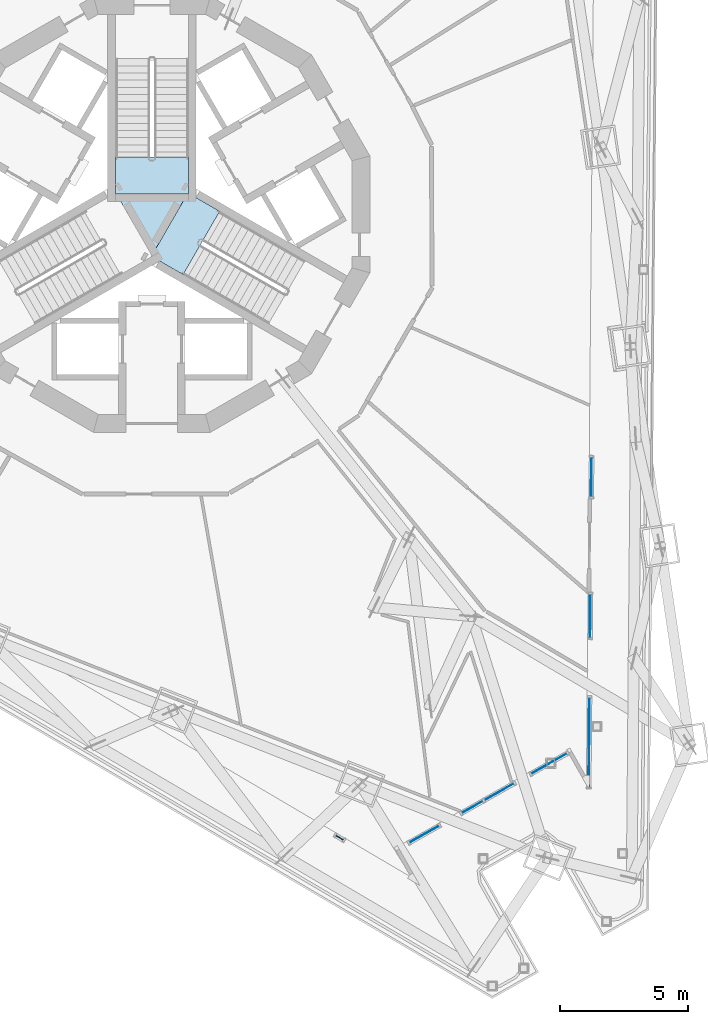
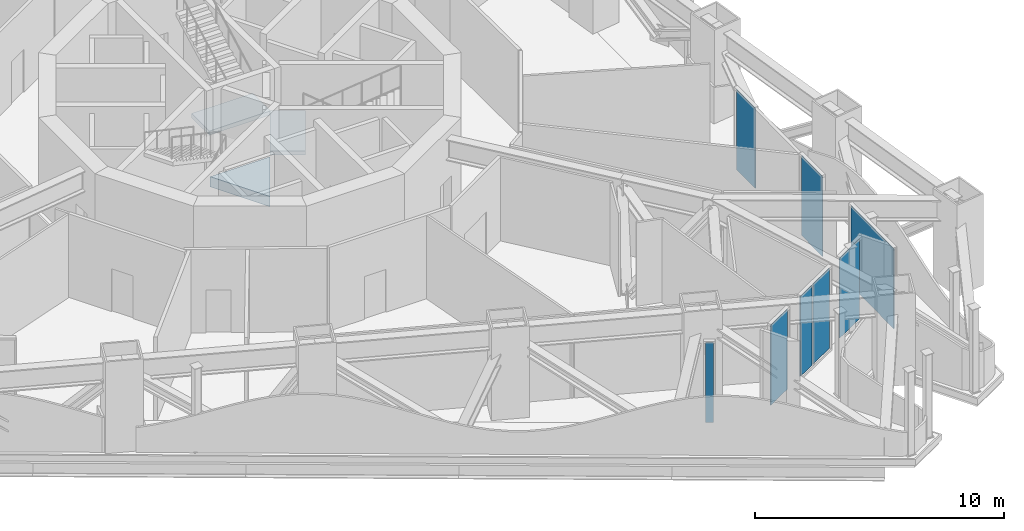
# One storey, part 9 of 27: 8 plates, 3 slabs, 9 elements without a shape of their own.
"""IFC4 building model written with IfcOpenShell, lengths in metres."""

from ifc_helpers import new_model, si_unit, direction, frame, origin, origin_2d, place, context, subcontext, project, spatial, polyline, rectangle, outline, extrude, material, layer, layer_set, type_object, element, aggregate, save


model = new_model("IFC4")

# Units and contexts
model_context = context("Model", 3, precision=1e-05, world=origin(), true_north=direction((0.0, 1.0)))
body_context = subcontext(model_context, "Body", "Model", "MODEL_VIEW")
ifc_project = project(units=[si_unit("LENGTHUNIT", "METRE"), si_unit("AREAUNIT", "SQUARE_METRE"), si_unit("VOLUMEUNIT", "CUBIC_METRE"), si_unit("PLANEANGLEUNIT", "RADIAN"), si_unit("MASSUNIT", "GRAM", prefix="KILO")], contexts=[model_context])

# Site, building, storey
site_placement = place(None, origin())
site = spatial("IfcSite", under=ifc_project, at=site_placement, CompositionType="ELEMENT")
building_placement = place(site_placement, origin())
building = spatial("IfcBuilding", under=site, at=building_placement, Name="Trine Commons Tower", CompositionType="ELEMENT")
storey_placement = place(building_placement, frame((0.0, 0.0, 193.5)))
storey = spatial("IfcBuildingStorey", under=building, at=storey_placement, Name="L50", CompositionType="ELEMENT", Elevation=193.5)

# Curtain wall, plate
ifc_material_1 = material(Name="Sky lounge glazing: anodised aluminium frame with low-emissivity double glazed unit, solar control", Category="aluminium")
ifc_layer_1 = layer(ifc_material_1, 0.179931640625)
ifc_layer_set_1 = layer_set([ifc_layer_1], Name="Sky lounge glazing: anodised aluminium frame with low-emissivity double glazed unit, solar control")
curtain_wall_type = type_object("IfcCurtainWallType", Name="Sky lounge glazing curtain wall CW5", PredefinedType="NOTDEFINED", material=ifc_layer_set_1)
curtain_wall_1_placement = place(storey_placement, origin())
curtain_wall_1 = element("IfcCurtainWall", 1, at=curtain_wall_1_placement, inside=storey, type_object=curtain_wall_type, Name="Sky lounge glazing L50 F2.2", PredefinedType="NOTDEFINED")
ifc_material_2 = material(Name="Low-emissivity double glazed unit, solar control")
ifc_layer_2 = layer(ifc_material_2, 0.031982421875)
ifc_layer_set_2 = layer_set([ifc_layer_2], Name="Low-emissivity double glazed unit, solar control")
plate_type = type_object("IfcPlateType", Name="Double glazed unit 32 mm (sky floors)", PredefinedType="CURTAIN_PANEL", material=ifc_layer_set_2)
plate_1_placement = place(storey_placement, frame((97.138916015625, 52.2529296875, 0.10986328125), z_axis=(0.0, 0.0, 1.0), x_axis=(-0.008726535498, -0.999961923064, 0.0)))
plate_1 = element("IfcPlate", 2, at=plate_1_placement, type_object=plate_type, Name="CW5 panel 1.1", PredefinedType="CURTAIN_PANEL", context=body_context, shape_type="SweptSolid", body=[
    extrude(rectangle(XDim=1.5390625, YDim=0.031982421875, at=origin_2d()), origin(), (0.0, 0.0, 1.0), 3.929931640625),
])
aggregate(curtain_wall_1, [plate_1])

curtain_wall_2_placement = place(storey_placement, origin())
curtain_wall_2 = element("IfcCurtainWall", 3, at=curtain_wall_2_placement, inside=storey, type_object=curtain_wall_type, Name="Sky lounge glazing L50 F2.3", PredefinedType="NOTDEFINED")
plate_2_placement = place(storey_placement, frame((97.091552734375, 46.842041015625, 0.10986328125), z_axis=(0.0, 0.0, 1.0), x_axis=(-0.008726535498, -0.999961923064, 0.0)))
plate_2 = element("IfcPlate", 4, at=plate_2_placement, type_object=plate_type, Name="CW5 panel 1.1", PredefinedType="CURTAIN_PANEL", context=body_context, shape_type="SweptSolid", body=[
    extrude(rectangle(XDim=1.688720703125, YDim=0.031982421875, at=origin_2d()), origin(), (0.0, 0.0, 1.0), 3.929931640625),
])
aggregate(curtain_wall_2, [plate_2])

curtain_wall_3_placement = place(storey_placement, origin())
curtain_wall_3 = element("IfcCurtainWall", 5, at=curtain_wall_3_placement, inside=storey, type_object=curtain_wall_type, Name="Sky lounge glazing L50 F2.4", PredefinedType="NOTDEFINED")
plate_3_placement = place(storey_placement, frame((97.048583984375, 41.912109375, 0.10986328125), z_axis=(0.0, 0.0, 1.0), x_axis=(-0.008726535498, -0.999961923064, 0.0)))
plate_3 = element("IfcPlate", 6, at=plate_3_placement, type_object=plate_type, Name="CW5 panel 1.1", PredefinedType="CURTAIN_PANEL", context=body_context, shape_type="SweptSolid", body=[
    extrude(rectangle(XDim=3.48583984375, YDim=0.031982421875, at=origin_2d()), origin(), (0.0, 0.0, 1.0), 3.929931640625),
])
aggregate(curtain_wall_3, [plate_3])

curtain_wall_4_placement = place(storey_placement, origin())
curtain_wall_4 = element("IfcCurtainWall", 7, at=curtain_wall_4_placement, inside=storey, type_object=curtain_wall_type, Name="Sky lounge glazing L50 P3.1", PredefinedType="NOTDEFINED")
plate_4_placement = place(storey_placement, frame((95.486572265625, 41.08447265625, 0.10986328125), z_axis=(0.0, 0.0, 1.0), x_axis=(-0.87035569594, -0.492423560103, 0.0)))
plate_4 = element("IfcPlate", 8, at=plate_4_placement, type_object=plate_type, Name="CW5 panel 1.1", PredefinedType="CURTAIN_PANEL", context=body_context, shape_type="SweptSolid", body=[
    extrude(rectangle(XDim=1.58349609375, YDim=0.031982421875, at=origin_2d()), origin(), (0.0, 0.0, 1.0), 3.929931640625),
])
aggregate(curtain_wall_4, [plate_4])

# Curtain wall, plates
curtain_wall_5_placement = place(storey_placement, origin())
curtain_wall_5 = element("IfcCurtainWall", 9, at=curtain_wall_5_placement, inside=storey, type_object=curtain_wall_type, Name="Sky lounge glazing L50 P3.2", PredefinedType="NOTDEFINED")
plate_5_placement = place(storey_placement, frame((93.5380859375, 39.982177734375, 0.10986328125), z_axis=(0.0, 0.0, 1.0), x_axis=(-0.87035569594, -0.492423560103, 0.0)))
plate_5 = element("IfcPlate", 10, at=plate_5_placement, type_object=plate_type, Name="CW5 panel 1.1", PredefinedType="CURTAIN_PANEL", context=body_context, shape_type="SweptSolid", body=[
    extrude(rectangle(XDim=1.314453125, YDim=0.031982421875, at=origin_2d()), origin(), (0.0, 0.0, 1.0), 3.929931640625),
])
plate_6_placement = place(storey_placement, frame((92.4951171875, 39.391845703125, 0.10986328125), z_axis=(0.0, 0.0, 1.0), x_axis=(-0.87035569594, -0.492423560103, 0.0)))
plate_6 = element("IfcPlate", 11, at=plate_6_placement, type_object=plate_type, Name="CW5 panel 2.1", PredefinedType="CURTAIN_PANEL", context=body_context, shape_type="SweptSolid", body=[
    extrude(rectangle(XDim=0.9326171875, YDim=0.031982421875, at=origin_2d()), origin(), (0.0, 0.0, 1.0), 3.929931640625),
])
aggregate(curtain_wall_5, [plate_5, plate_6])

# Curtain wall, plate
curtain_wall_6_placement = place(storey_placement, origin())
curtain_wall_6 = element("IfcCurtainWall", 12, at=curtain_wall_6_placement, inside=storey, type_object=curtain_wall_type, Name="Sky lounge glazing L50 P3.3", PredefinedType="NOTDEFINED")
plate_7_placement = place(storey_placement, frame((90.618896484375, 38.33056640625, 0.10986328125), z_axis=(0.0, 0.0, 1.0), x_axis=(-0.87035569594, -0.492423560103, 0.0)))
plate_7 = element("IfcPlate", 13, at=plate_7_placement, type_object=plate_type, Name="CW5 panel 1.1", PredefinedType="CURTAIN_PANEL", context=body_context, shape_type="SweptSolid", body=[
    extrude(rectangle(XDim=1.314208984375, YDim=0.031982421875, at=origin_2d()), origin(), (0.0, 0.0, 1.0), 3.929931640625),
])
aggregate(curtain_wall_6, [plate_7])

curtain_wall_7_placement = place(storey_placement, origin())
curtain_wall_7 = element("IfcCurtainWall", 14, at=curtain_wall_7_placement, inside=storey, type_object=curtain_wall_type, Name="Sky lounge glazing L50 F3.1", PredefinedType="NOTDEFINED")
plate_8_placement = place(storey_placement, frame((87.318359375, 38.195068359375, 0.10986328125), z_axis=(0.0, 0.0, 1.0), x_axis=(-0.861629160442, 0.507538362961, 0.0)))
plate_8 = element("IfcPlate", 15, at=plate_8_placement, type_object=plate_type, Name="CW5 panel 1.1", PredefinedType="CURTAIN_PANEL", context=body_context, shape_type="SweptSolid", body=[
    extrude(rectangle(XDim=0.319580078125, YDim=0.031982421875, at=origin_2d()), origin(), (0.0, 0.0, 1.0), 3.929931640625),
])
aggregate(curtain_wall_7, [plate_8])

# Stair, slab
ifc_material_3 = material(Name="Concrete C50/60", Category="concrete")
stair_type = type_object("IfcStairType", Name="Exit stair, dog-leg, 30 risers of 150 mm", PredefinedType="HALF_TURN_STAIR", material=ifc_material_3)
stair_1_placement = place(storey_placement, origin())
stair_1 = element("IfcStair", 16, at=stair_1_placement, inside=storey, type_object=stair_type, Name="L50 Exit stair ST1C", PredefinedType="HALF_TURN_STAIR")
ifc_layer_3 = layer(ifc_material_3, 0.199951171875)
ifc_layer_set_3 = layer_set([ifc_layer_3], Name="Concrete C50/60")
slab_type_1 = type_object("IfcSlabType", Name="Stair landing slab 200 mm, C50/60", PredefinedType="LANDING", material=ifc_layer_set_3)
slab_1_placement = place(storey_placement, frame((0.0, 0.0, 2.050048828125)))
slab_1 = element("IfcSlab", 17, at=slab_1_placement, type_object=slab_type_1, Name="ST1C landing 1", PredefinedType="LANDING", context=body_context, shape_type="SweptSolid", body=[
    extrude(outline(polyline([(78.574951171875, 64.730712890625), (78.574951171875, 63.300537109375), (81.425048828125, 63.300537109375), (81.425048828125, 64.730712890625), (78.574951171875, 64.730712890625)])), origin(), (0.0, 0.0, 1.0), 0.199951171875),
])
aggregate(stair_1, [slab_1])

stair_2_placement = place(storey_placement, origin())
stair_2 = element("IfcStair", 18, at=stair_2_placement, inside=storey, type_object=stair_type, Name="L50 Exit stair ST3C", PredefinedType="HALF_TURN_STAIR")
slab_2_placement = place(storey_placement, frame((0.0, 0.0, 2.050048828125)))
slab_2 = element("IfcSlab", 19, at=slab_2_placement, type_object=slab_type_1, Name="ST3C landing 1", PredefinedType="LANDING", context=body_context, shape_type="SweptSolid", body=[
    extrude(outline(polyline([(82.644287109375, 62.618896484375), (81.40576171875, 63.333740234375), (79.980712890625, 60.86572265625), (81.21923828125, 60.150634765625), (82.644287109375, 62.618896484375)])), origin(), (0.0, 0.0, 1.0), 0.199951171875),
])
aggregate(stair_2, [slab_2])

# Slab
ifc_material_4 = material(Name="Concrete C40/50", Category="concrete")
ifc_layer_4 = layer(ifc_material_4, 0.5)
ifc_layer_set_4 = layer_set([ifc_layer_4], Name="Concrete C40/50")
slab_type_2 = type_object("IfcSlabType", Name="Transfer floor slab 500 mm, C40/50", PredefinedType="FLOOR", material=ifc_layer_set_4)
slab_3_placement = place(storey_placement, frame((0.0, 0.0, -0.5)))
element("IfcSlab", 20, at=slab_3_placement, inside=storey, type_object=slab_type_2, Name="Floor slab L50 2", PredefinedType="FLOOR", context=body_context, shape_type="SweptSolid", body=[
    extrude(outline(polyline([(78.61328125, 63.300537109375), (80.0, 60.89892578125), (81.38671875, 63.300537109375), (78.61328125, 63.300537109375)])), origin(), (0.0, 0.0, 1.0), 0.5),
])

save(model, "model.ifc")
